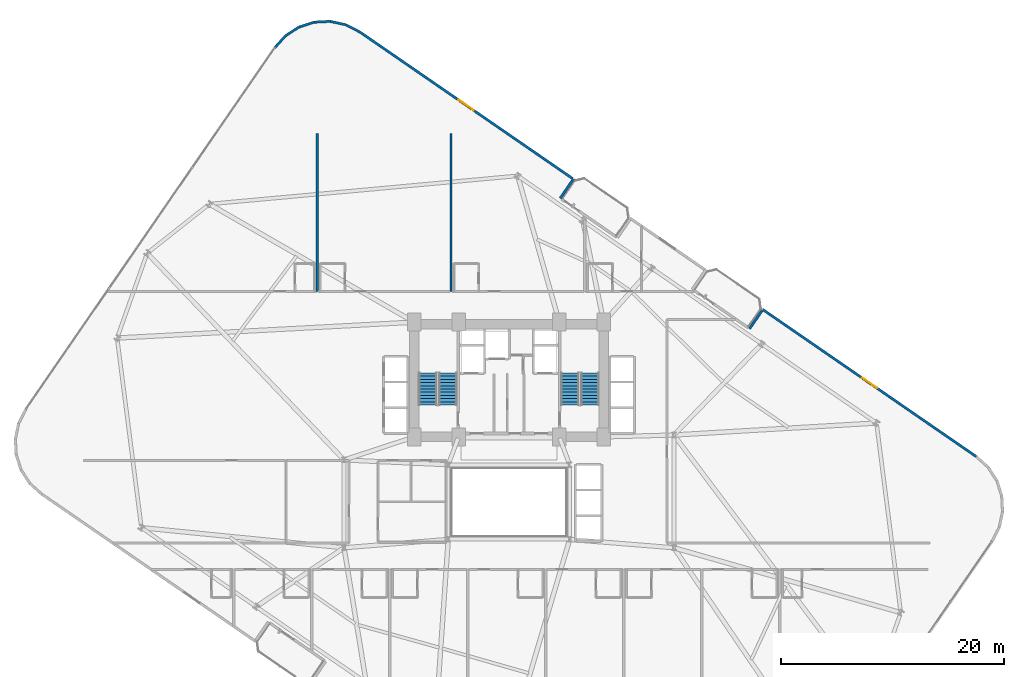
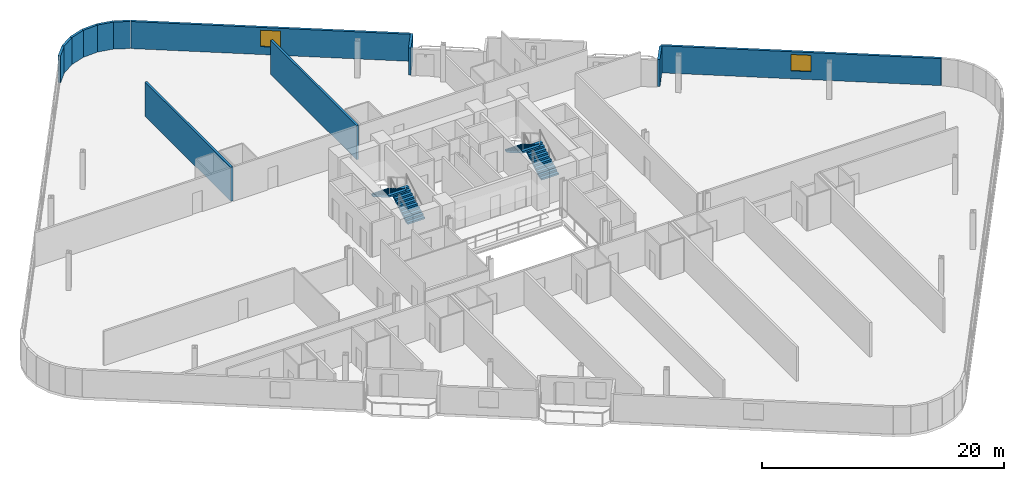
# One storey, part 21 of 25: 12 walls, 4 stair flights, 2 windows, 2 openings, 2 elements without a shape of their own.
"""IFC4 building model written with IfcOpenShell, lengths in metres."""

from ifc_helpers import new_model, si_unit, direction, frame, frame_2d, origin, place, context, subcontext, project, spatial, polyline, rectangle, outline, extrude, material, layer, layer_set, type_object, element, fill, aggregate, save


model = new_model("IFC4")

# Units and contexts
model_context = context("Model", 3, precision=1e-05, world=origin(), true_north=direction((0.0, 1.0)))
body_context = subcontext(model_context, "Body", "Model", "MODEL_VIEW")
ifc_project = project(units=[si_unit("LENGTHUNIT", "METRE"), si_unit("AREAUNIT", "SQUARE_METRE"), si_unit("VOLUMEUNIT", "CUBIC_METRE"), si_unit("PLANEANGLEUNIT", "RADIAN"), si_unit("MASSUNIT", "GRAM", prefix="KILO")], contexts=[model_context])

# Site, building, storey
site_placement = place(None, origin())
site = spatial("IfcSite", under=ifc_project, at=site_placement, CompositionType="ELEMENT")
building_placement = place(site_placement, origin())
building = spatial("IfcBuilding", under=site, at=building_placement, Name="Varnelok Gate Tower", CompositionType="ELEMENT")
storey_placement = place(building_placement, frame((0.0, 0.0, 49.199951171875)))
storey = spatial("IfcBuildingStorey", under=building, at=storey_placement, Name="L11", CompositionType="ELEMENT", Elevation=49.199951171875)

# Wall, opening, window
ifc_material_1 = material(Name="Concrete C45/55", Category="concrete")
ifc_layer_1 = layer(ifc_material_1, 0.219970703125)
ifc_layer_set_1 = layer_set([ifc_layer_1], Name="Concrete C45/55")
wall_type_1 = type_object("IfcWallType", Name="EW-BALC-220", PredefinedType="SOLIDWALL", material=ifc_layer_set_1)
wall_1_placement = place(storey_placement, frame((81.12744140625, 26.994873046875, 0.0), z_axis=(0.0, 0.0, 1.0), x_axis=(-0.823530169317, 0.567272474411, 0.0)))
wall_1 = element("IfcWall", 1, at=wall_1_placement, inside=storey, type_object=wall_type_1, Name="L11 Perimeter Facade Closure Wall 26", PredefinedType="SOLIDWALL", context=body_context, shape_type="SweptSolid", body=[
    extrude(rectangle(XDim=23.247314453125, YDim=0.219970703125, at=frame_2d((11.62353515625, 0.0))), origin(), (0.0, 0.0, 1.0), 2.72998046875),
])
opening_1_placement = place(wall_1_placement, frame((10.798583984375, 0.0, 0.800048828125)))
opening_1 = element("IfcOpeningElement", 2, at=opening_1_placement, cuts=wall_1, Name="Opening WN3", PredefinedType="OPENING", context=body_context, shape_type="SweptSolid", body=[
    extrude(rectangle(XDim=1.64990234375, YDim=1.64990234375, at=frame_2d((0.824951171875, 0.824951171875))), frame((0.0, 0.119873046875, 0.0), z_axis=(0.0, -1.0, 0.0), x_axis=(1.0, 0.0, 0.0)), (0.0, 0.0, 1.0), 0.239990234375),
])
ifc_material_2 = material(Name="Low-E Laminated Double Glazing IGU", Category="glass")
window_type = type_object("IfcWindowType", Name="WN-HTL-1650", PartitioningType="SINGLE_PANEL", PredefinedType="WINDOW", material=ifc_material_2)
window_1_placement = place(opening_1_placement, origin())
window_1 = element("IfcWindow", 3, at=window_1_placement, inside=storey, type_object=window_type, Name="L11 Perimeter Vision Window 26", OverallHeight=1.64990234375, OverallWidth=1.64990234375, PartitioningType="SINGLE_PANEL", PredefinedType="WINDOW", context=body_context, shape_type="SweptSolid", body=[
    extrude(rectangle(XDim=1.64990234375, YDim=1.64990234375, at=frame_2d((0.824951171875, 0.824951171875))), frame((0.0, 0.030029296875, 0.0), z_axis=(0.0, -1.0, 0.0), x_axis=(1.0, 0.0, 0.0)), (0.0, 0.0, 1.0), 0.06005859375),
])
fill(opening_1, window_1)

# Walls
wall_2_placement = place(storey_placement, frame((61.91162109375, 40.079345703125, 0.0), z_axis=(0.0, 0.0, 1.0), x_axis=(-0.567189720735, -0.82358716642, 0.0)))
element("IfcWall", 4, at=wall_2_placement, inside=storey, type_object=wall_type_1, Name="L11 Perimeter Facade Closure Wall 27", PredefinedType="SOLIDWALL", context=body_context, shape_type="SweptSolid", body=[
    extrude(rectangle(XDim=1.974853515625, YDim=0.219970703125, at=frame_2d((0.9873046875, 0.0))), origin(), (0.0, 0.0, 1.0), 2.72998046875),
])
wall_3_placement = place(storey_placement, frame((43.793701171875, 50.161376953125, 0.0), z_axis=(0.0, 0.0, 1.0), x_axis=(0.567352541689, 0.823475010816, 0.0)))
element("IfcWall", 5, at=wall_3_placement, inside=storey, type_object=wall_type_1, Name="L11 Perimeter Facade Closure Wall 31", PredefinedType="SOLIDWALL", context=body_context, shape_type="SweptSolid", body=[
    extrude(rectangle(XDim=2.099853515625, YDim=0.219970703125, at=frame_2d((1.0498046875, 0.0))), origin(), (0.0, 0.0, 1.0), 2.72998046875),
])

# Wall, opening, window
wall_4_placement = place(storey_placement, frame((44.882080078125, 51.961669921875, 0.0), z_axis=(0.0, 0.0, 1.0), x_axis=(-0.823534427573, 0.567266292497, 0.0)))
wall_4 = element("IfcWall", 6, at=wall_4_placement, inside=storey, type_object=wall_type_1, Name="L11 Perimeter Facade Closure Wall 32", PredefinedType="SOLIDWALL", context=body_context, shape_type="SweptSolid", body=[
    extrude(rectangle(XDim=23.147216796875, YDim=0.219970703125, at=frame_2d((11.57373046875, 0.0))), origin(), (0.0, 0.0, 1.0), 2.72998046875),
])
opening_2_placement = place(wall_4_placement, frame((10.74853515625, 0.0, 0.800048828125)))
opening_2 = element("IfcOpeningElement", 7, at=opening_2_placement, cuts=wall_4, Name="Opening WN3", PredefinedType="OPENING", context=body_context, shape_type="SweptSolid", body=[
    extrude(rectangle(XDim=1.64990234375, YDim=1.64990234375, at=frame_2d((0.824951171875, 0.824951171875))), frame((0.0, 0.119873046875, 0.0), z_axis=(0.0, -1.0, 0.0), x_axis=(1.0, 0.0, 0.0)), (0.0, 0.0, 1.0), 0.239990234375),
])
window_2_placement = place(opening_2_placement, origin())
window_2 = element("IfcWindow", 8, at=window_2_placement, inside=storey, type_object=window_type, Name="L11 Perimeter Vision Window 32", OverallHeight=1.64990234375, OverallWidth=1.64990234375, PartitioningType="SINGLE_PANEL", PredefinedType="WINDOW", context=body_context, shape_type="SweptSolid", body=[
    extrude(rectangle(XDim=1.64990234375, YDim=1.64990234375, at=frame_2d((0.824951171875, 0.824951171875))), frame((0.0, 0.030029296875, 0.0), z_axis=(0.0, -1.0, 0.0), x_axis=(1.0, 0.0, 0.0)), (0.0, 0.0, 1.0), 0.06005859375),
])
fill(opening_2, window_2)

# Walls
wall_5_placement = place(storey_placement, frame((25.79736328125, 65.103759765625, 0.0), z_axis=(0.0, 0.0, 1.0), x_axis=(-0.890559109247, 0.454867533394, 0.0)))
element("IfcWall", 9, at=wall_5_placement, inside=storey, type_object=wall_type_1, Name="L11 Perimeter Facade Closure Wall 33", PredefinedType="SOLIDWALL", context=body_context, shape_type="SweptSolid", body=[
    extrude(rectangle(XDim=1.4130859375, YDim=0.219970703125, at=frame_2d((0.70654296875, 0.0))), origin(), (0.0, 0.0, 1.0), 2.72998046875),
])
for number, where, z_axis, x_axis, name in (
    (10, (24.514404296875, 65.751953125, 0.0), (0.0, 0.0, 1.0), (-0.977952168511, 0.208829011645, 0.0), "L11 Perimeter Facade Closure Wall 34"),
    (11, (23.114990234375, 66.044189453125, 0.0), (0.0, 0.0, 1.0), (-0.998685611917, -0.051254741739, 0.0), "L11 Perimeter Facade Closure Wall 35"),
    (12, (21.68798828125, 65.96435546875, 0.0), (0.0, 0.0, 1.0), (-0.951375653596, -0.308033059501, 0.0), "L11 Perimeter Facade Closure Wall 36"),
    (13, (20.330078125, 65.517822265625, 0.0), (0.0, 0.0, 1.0), (-0.839327688057, -0.543625819899, 0.0), "L11 Perimeter Facade Closure Wall 37"),
    (14, (19.1337890625, 64.735107421875, 0.0), (0.0, 0.0, 1.0), (-0.669952842826, -0.742403655964, 0.0), "L11 Perimeter Facade Closure Wall 38"),
):
    element("IfcWall", number, at=place(storey_placement, frame(where, z_axis=z_axis, x_axis=x_axis)), inside=storey, type_object=wall_type_1, Name=name, PredefinedType="SOLIDWALL", context=body_context, shape_type="SweptSolid", body=[
        extrude(rectangle(XDim=1.4052734375, YDim=0.219970703125, at=frame_2d((0.70263671875, 0.0))), origin(), (0.0, 0.0, 1.0), 2.72998046875),
    ])
ifc_material_3 = material(Name="Gypsum Plasterboard Acoustic Partition", Category="gypsum")
ifc_layer_2 = layer(ifc_material_3, 0.205078125)
ifc_layer_set_2 = layer_set([ifc_layer_2], Name="Gypsum Plasterboard Acoustic Partition")
wall_type_2 = type_object("IfcWallType", Name="PW-PARTY-200", PredefinedType="PARTITIONING", material=ifc_layer_set_2)
for number, where, z_axis, x_axis, name in (
    (15, (22.0, 41.800048828125, 0.0), (0.0, 0.0, 1.0), (0.0, 1.0, 0.0), "L11 North Party Wall 1"),
    (16, (34.0, 41.800048828125, 0.0), (0.0, 0.0, 1.0), (0.0, 1.0, 0.0), "L11 North Party Wall 2"),
):
    element("IfcWall", number, at=place(storey_placement, frame(where, z_axis=z_axis, x_axis=x_axis)), inside=storey, type_object=wall_type_2, Name=name, PredefinedType="PARTITIONING", context=body_context, shape_type="SweptSolid", body=[
        extrude(rectangle(XDim=14.199951171875, YDim=0.205078125, at=frame_2d((7.10009765625, 0.0))), origin(), (0.0, 0.0, 1.0), 3.449951171875),
    ])

# Stair, stair flights
ifc_material_4 = material(Name="Concrete C50/60", Category="concrete")
stair_type = type_object("IfcStairType", Name="STR-CORE-1650", PredefinedType="HALF_TURN_STAIR", material=ifc_material_4)
stair_1_placement = place(storey_placement, origin())
stair_1 = element("IfcStair", 17, at=stair_1_placement, inside=storey, type_object=stair_type, Name="L11 Exit Stair ST-1", PredefinedType="HALF_TURN_STAIR")
stair_flight_type = type_object("IfcStairFlightType", Name="SFL-CORE-1650", PredefinedType="STRAIGHT", material=ifc_material_4)
stair_flight_1_placement = place(storey_placement, frame((33.72509765625, 31.60009765625, 0.0), z_axis=(0.0, 0.0, 1.0), x_axis=(0.0, 1.0, 0.0)))
stair_flight_1 = element("IfcStairFlight", 18, at=stair_flight_1_placement, type_object=stair_flight_type, Name="ST-1 flight 1", NumberOfRisers=11, NumberOfTreads=10, PredefinedType="STRAIGHT", RiserHeight=0.168181818, TreadLength=0.29, context=body_context, shape_type="SweptSolid", body=[
    extrude(outline(polyline([(0.0, 0.0), (0.0, 0.168212890625), (0.2900390625, 0.168212890625), (0.2900390625, 0.33642578125), (0.580078125, 0.33642578125), (0.580078125, 0.504638671875), (0.8701171875, 0.504638671875), (0.8701171875, 0.672607421875), (1.159912109375, 0.672607421875), (1.159912109375, 0.8408203125), (1.449951171875, 0.8408203125), (1.449951171875, 1.009033203125), (1.739990234375, 1.009033203125), (1.739990234375, 1.17724609375), (2.030029296875, 1.17724609375), (2.030029296875, 1.345458984375), (2.320068359375, 1.345458984375), (2.320068359375, 1.513671875), (2.610107421875, 1.513671875), (2.610107421875, 1.681884765625), (2.89990234375, 1.681884765625), (2.89990234375, 1.85009765625), (2.89990234375, 1.508544921875), (0.298828125, 0.0), (0.0, 0.0)])), frame((0.0, 0.824951171875, 0.0), z_axis=(0.0, -1.0, 0.0), x_axis=(1.0, 0.0, 0.0)), (0.0, 0.0, 1.0), 1.64990234375),
])
stair_flight_2_placement = place(storey_placement, frame((31.925048828125, 34.5, 1.85009765625), z_axis=(0.0, 0.0, 1.0), x_axis=(0.0, -1.0, 0.0)))
stair_flight_2 = element("IfcStairFlight", 19, at=stair_flight_2_placement, type_object=stair_flight_type, Name="ST-1 flight 2", NumberOfRisers=11, NumberOfTreads=10, PredefinedType="STRAIGHT", RiserHeight=0.168181818, TreadLength=0.29, context=body_context, shape_type="SweptSolid", body=[
    extrude(outline(polyline([(0.0, 0.0), (0.0, 0.168212890625), (0.2900390625, 0.168212890625), (0.2900390625, 0.33642578125), (0.580078125, 0.33642578125), (0.580078125, 0.504638671875), (0.8701171875, 0.504638671875), (0.8701171875, 0.672607421875), (1.159912109375, 0.672607421875), (1.159912109375, 0.8408203125), (1.449951171875, 0.8408203125), (1.449951171875, 1.009033203125), (1.739990234375, 1.009033203125), (1.739990234375, 1.17724609375), (2.030029296875, 1.17724609375), (2.030029296875, 1.345458984375), (2.320068359375, 1.345458984375), (2.320068359375, 1.513671875), (2.610107421875, 1.513671875), (2.610107421875, 1.681884765625), (2.89990234375, 1.681884765625), (2.89990234375, 1.85009765625), (2.89990234375, 1.508544921875), (0.298828125, 0.0), (0.0, 0.0)])), frame((0.0, 0.824951171875, 0.0), z_axis=(0.0, -1.0, 0.0), x_axis=(1.0, 0.0, 0.0)), (0.0, 0.0, 1.0), 1.64990234375),
])
aggregate(stair_1, [stair_flight_1, stair_flight_2])

stair_2_placement = place(storey_placement, origin())
stair_2 = element("IfcStair", 20, at=stair_2_placement, inside=storey, type_object=stair_type, Name="L11 Exit Stair ST-2", PredefinedType="HALF_TURN_STAIR")
stair_flight_3_placement = place(storey_placement, frame((46.47509765625, 31.60009765625, 0.0), z_axis=(0.0, 0.0, 1.0), x_axis=(0.0, 1.0, 0.0)))
stair_flight_3 = element("IfcStairFlight", 21, at=stair_flight_3_placement, type_object=stair_flight_type, Name="ST-2 flight 1", NumberOfRisers=11, NumberOfTreads=10, PredefinedType="STRAIGHT", RiserHeight=0.168181818, TreadLength=0.29, context=body_context, shape_type="SweptSolid", body=[
    extrude(outline(polyline([(0.0, 0.0), (0.0, 0.168212890625), (0.2900390625, 0.168212890625), (0.2900390625, 0.33642578125), (0.580078125, 0.33642578125), (0.580078125, 0.504638671875), (0.8701171875, 0.504638671875), (0.8701171875, 0.672607421875), (1.159912109375, 0.672607421875), (1.159912109375, 0.8408203125), (1.449951171875, 0.8408203125), (1.449951171875, 1.009033203125), (1.739990234375, 1.009033203125), (1.739990234375, 1.17724609375), (2.030029296875, 1.17724609375), (2.030029296875, 1.345458984375), (2.320068359375, 1.345458984375), (2.320068359375, 1.513671875), (2.610107421875, 1.513671875), (2.610107421875, 1.681884765625), (2.89990234375, 1.681884765625), (2.89990234375, 1.85009765625), (2.89990234375, 1.508544921875), (0.298828125, 0.0), (0.0, 0.0)])), frame((0.0, 0.824951171875, 0.0), z_axis=(0.0, -1.0, 0.0), x_axis=(1.0, 0.0, 0.0)), (0.0, 0.0, 1.0), 1.64990234375),
])
stair_flight_4_placement = place(storey_placement, frame((44.675048828125, 34.5, 1.85009765625), z_axis=(0.0, 0.0, 1.0), x_axis=(0.0, -1.0, 0.0)))
stair_flight_4 = element("IfcStairFlight", 22, at=stair_flight_4_placement, type_object=stair_flight_type, Name="ST-2 flight 2", NumberOfRisers=11, NumberOfTreads=10, PredefinedType="STRAIGHT", RiserHeight=0.168181818, TreadLength=0.29, context=body_context, shape_type="SweptSolid", body=[
    extrude(outline(polyline([(0.0, 0.0), (0.0, 0.168212890625), (0.2900390625, 0.168212890625), (0.2900390625, 0.33642578125), (0.580078125, 0.33642578125), (0.580078125, 0.504638671875), (0.8701171875, 0.504638671875), (0.8701171875, 0.672607421875), (1.159912109375, 0.672607421875), (1.159912109375, 0.8408203125), (1.449951171875, 0.8408203125), (1.449951171875, 1.009033203125), (1.739990234375, 1.009033203125), (1.739990234375, 1.17724609375), (2.030029296875, 1.17724609375), (2.030029296875, 1.345458984375), (2.320068359375, 1.345458984375), (2.320068359375, 1.513671875), (2.610107421875, 1.513671875), (2.610107421875, 1.681884765625), (2.89990234375, 1.681884765625), (2.89990234375, 1.85009765625), (2.89990234375, 1.508544921875), (0.298828125, 0.0), (0.0, 0.0)])), frame((0.0, 0.824951171875, 0.0), z_axis=(0.0, -1.0, 0.0), x_axis=(1.0, 0.0, 0.0)), (0.0, 0.0, 1.0), 1.64990234375),
])
aggregate(stair_2, [stair_flight_3, stair_flight_4])

save(model, "model.ifc")
